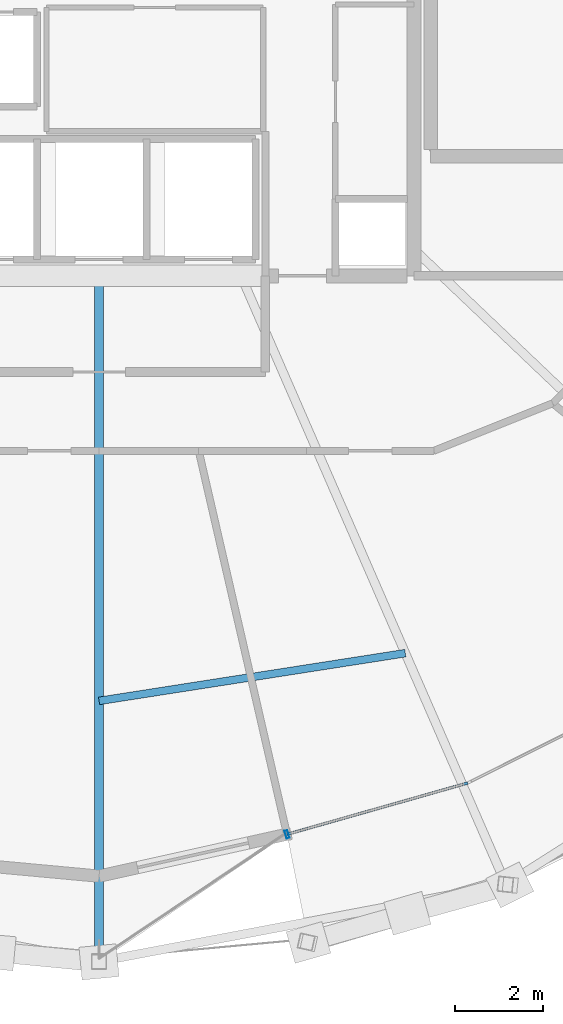
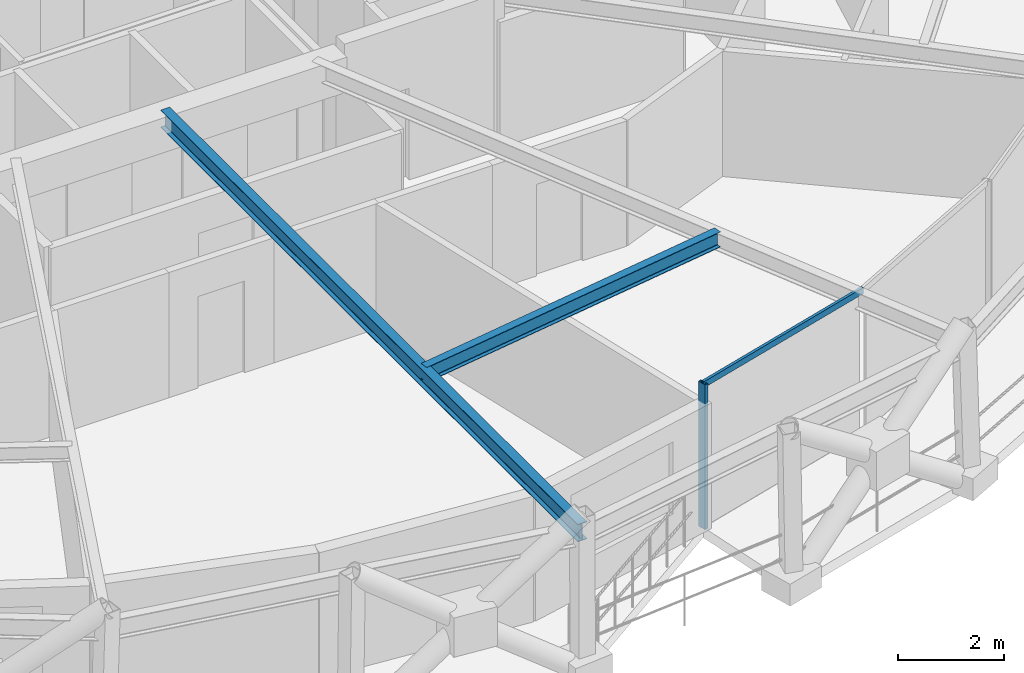
# One storey, part 2 of 17: 2 beams, 2 members, 1 element without a shape of its own.
"""IFC4 building model written with IfcOpenShell, lengths in metres."""

from ifc_helpers import new_model, si_unit, direction, frame, origin, origin_2d, place, context, subcontext, project, spatial, hollow_rectangle, i_section, extrude, material, layer, layer_set, material_profile, profile_set, type_object, element, aggregate, save


model = new_model("IFC4")

# Units and contexts
model_context = context("Model", 3, precision=1e-05, world=origin(), true_north=direction((0.0, 1.0)))
body_context = subcontext(model_context, "Body", "Model", "MODEL_VIEW")
ifc_project = project(units=[si_unit("LENGTHUNIT", "METRE"), si_unit("AREAUNIT", "SQUARE_METRE"), si_unit("VOLUMEUNIT", "CUBIC_METRE"), si_unit("PLANEANGLEUNIT", "RADIAN"), si_unit("MASSUNIT", "GRAM", prefix="KILO")], contexts=[model_context])

# Site, building, storey
site_placement = place(None, origin())
site = spatial("IfcSite", under=ifc_project, at=site_placement, CompositionType="ELEMENT")
building_placement = place(site_placement, origin())
building = spatial("IfcBuilding", under=site, at=building_placement, Name="Veldorina Hangang Commons", CompositionType="ELEMENT")
storey_placement = place(building_placement, frame((0.0, 0.0, 229.199951171875)))
storey = spatial("IfcBuildingStorey", under=building, at=storey_placement, Name="L59", CompositionType="ELEMENT", Elevation=229.199951171875)

# Beams
ifc_material_1 = material(Name="Steel SM355-TMC", Category="steel")
ifc_material_profile_1 = material_profile(ifc_material_1, i_section(OverallWidth=0.199951171875, OverallDepth=0.39990234375, WebThickness=0.008056640625, FlangeThickness=0.012939453125, FilletRadius=0.012939453125, at=origin_2d()), Name="H-400x200x8x13")
ifc_profile_set_1 = profile_set([ifc_material_profile_1], Name="Steel SM355-TMC")
beam_type_1 = type_object("IfcBeamType", Name="BM-FG400", PredefinedType="BEAM", material=ifc_profile_set_1)
beam_1_placement = place(storey_placement, frame((32.0, 16.550048828125, 3.16015625), z_axis=(0.0, -1.0, 0.0), x_axis=(1.0, 0.0, 0.0)))
element("IfcBeam", 1, at=beam_1_placement, inside=storey, type_object=beam_type_1, Name="L59 radial floor girder 13", PredefinedType="BEAM", context=body_context, shape_type="SweptSolid", body=[
    extrude(i_section(OverallWidth=0.199951171875, OverallDepth=0.39990234375, WebThickness=0.008056640625, FlangeThickness=0.012939453125, FilletRadius=0.012939453125, at=origin_2d()), origin(), (0.0, 0.0, 1.0), 15.669921875),
])
ifc_material_profile_2 = material_profile(ifc_material_1, i_section(OverallWidth=0.175048828125, OverallDepth=0.35009765625, WebThickness=0.007080078125, FlangeThickness=0.010986328125, FilletRadius=0.012939453125, at=origin_2d()), Name="H-350x175x7x11")
ifc_profile_set_2 = profile_set([ifc_material_profile_2], Name="Steel SM355-TMC")
beam_type_2 = type_object("IfcBeamType", Name="BM-JST350", PredefinedType="JOIST", material=ifc_profile_set_2)
beam_2_placement = place(storey_placement, frame((32.0, 6.834716796875, 3.18505859375), z_axis=(0.988064059438, 0.15404354724, 0.0), x_axis=(-0.15404354724, 0.988064059438, 0.0)))
element("IfcBeam", 2, at=beam_2_placement, inside=storey, type_object=beam_type_2, Name="L59 secondary floor joist 13", PredefinedType="JOIST", context=body_context, shape_type="SweptSolid", body=[
    extrude(i_section(OverallWidth=0.175048828125, OverallDepth=0.35009765625, WebThickness=0.007080078125, FlangeThickness=0.010986328125, FilletRadius=0.012939453125, at=origin_2d()), origin(), (0.0, 0.0, 1.0), 7.082763671875),
])

# Curtain wall, members
ifc_material_2 = material(Name="Glass Low-E Selective", Category="glass")
ifc_layer = layer(ifc_material_2, 0.179931640625)
ifc_layer_set = layer_set([ifc_layer], Name="Glass Low-E Selective")
curtain_wall_type = type_object("IfcCurtainWallType", Name="CW-SYS-Z3", PredefinedType="NOTDEFINED", material=ifc_layer_set)
curtain_wall_placement = place(storey_placement, origin())
curtain_wall = element("IfcCurtainWall", 3, at=curtain_wall_placement, inside=storey, type_object=curtain_wall_type, Name="L59 unitised curtain wall CW-L59-R1", PredefinedType="NOTDEFINED")
ifc_material_3 = material(Name="Aluminium Anodized AA6063-T6", Category="aluminium")
ifc_material_profile_3 = material_profile(ifc_material_3, hollow_rectangle(XDim=0.070068359375, YDim=0.179931640625, WallThickness=0.00390625, at=origin_2d()), Name="ALU-RHS-180x70x4")
ifc_profile_set_3 = profile_set([ifc_material_profile_3], Name="Aluminium Anodized AA6063-T6")
member_type_1 = type_object("IfcMemberType", Name="CW-MUL-180", PredefinedType="MULLION", material=ifc_profile_set_3)
member_1_placement = place(storey_placement, frame((36.294677734375, 3.78564453125, 0.0), z_axis=(0.0, 0.0, 1.0), x_axis=(0.961956179969, 0.273203784416, 0.0)))
member_1 = element("IfcMember", 4, at=member_1_placement, type_object=member_type_1, Name="CW-L59-R1 vertical mullion 1", PredefinedType="MULLION", context=body_context, shape_type="SweptSolid", body=[
    extrude(hollow_rectangle(XDim=0.070068359375, YDim=0.179931640625, WallThickness=0.00390625, at=origin_2d()), origin(), (0.0, 0.0, 1.0), 3.320068359375),
])
ifc_material_profile_4 = material_profile(ifc_material_3, hollow_rectangle(XDim=0.06005859375, YDim=0.139892578125, WallThickness=0.00341796875, at=origin_2d()), Name="ALU-RHS-140x60x3.5")
ifc_profile_set_4 = profile_set([ifc_material_profile_4], Name="Aluminium Anodized AA6063-T6")
member_type_2 = type_object("IfcMemberType", Name="CW-TRN-140", PredefinedType="USERDEFINED", material=ifc_profile_set_4)
member_2_placement = place(storey_placement, frame((36.294677734375, 3.78564453125, 3.280029296875), z_axis=(0.961956250272, 0.273203536879, 0.0), x_axis=(-0.273203536879, 0.961956250272, 0.0)))
member_2 = element("IfcMember", 5, at=member_2_placement, type_object=member_type_2, Name="CW-L59-R1 facet 1 transom 1", ObjectType="TRANSOM", PredefinedType="USERDEFINED", context=body_context, shape_type="SweptSolid", body=[
    extrude(hollow_rectangle(XDim=0.06005859375, YDim=0.139892578125, WallThickness=0.00341796875, at=origin_2d()), origin(), (0.0, 0.0, 1.0), 4.29296875),
])
aggregate(curtain_wall, [member_1, member_2])

save(model, "model.ifc")
